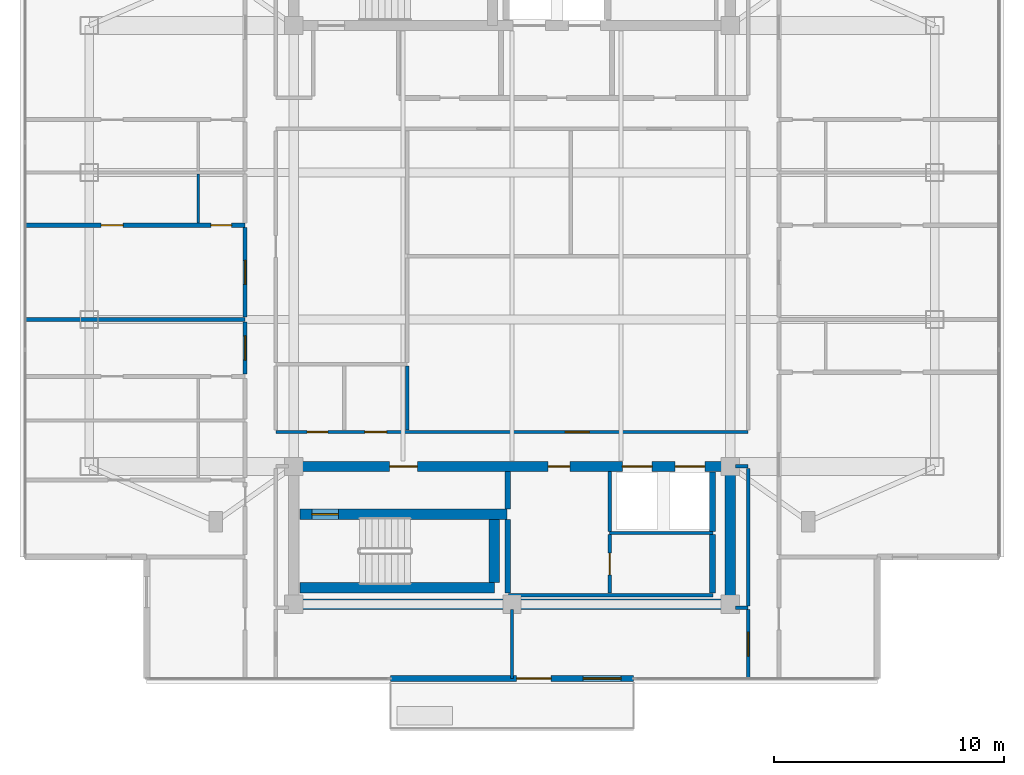
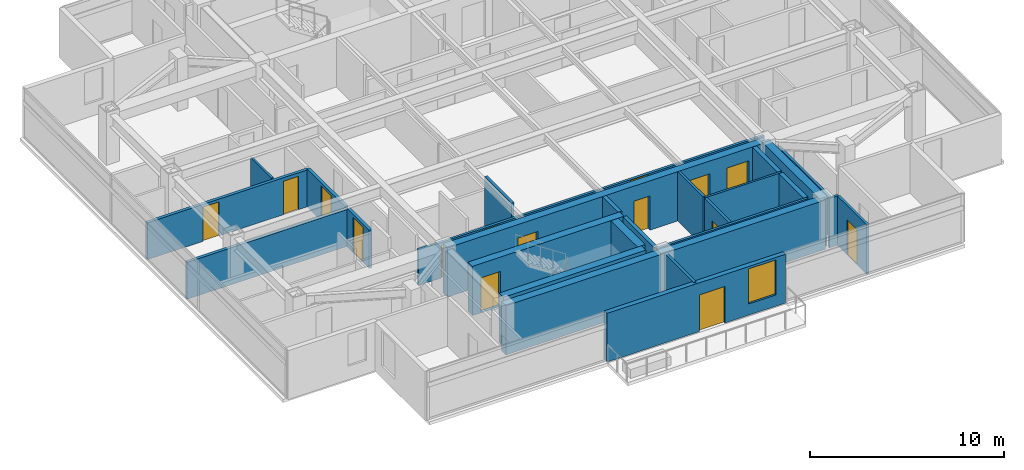
# One storey, part 8 of 14: 27 walls, 15 doors, 1 window, 16 openings.
"""IFC4 building model written with IfcOpenShell, lengths in metres."""

from ifc_helpers import new_model, si_unit, direction, frame, frame_2d, origin, place, context, subcontext, project, spatial, rectangle, extrude, material, layer, layer_set, type_object, element, fill, save


model = new_model("IFC4")

# Units and contexts
model_context = context("Model", 3, precision=1e-05, world=origin(), true_north=direction((0.0, 1.0)))
body_context = subcontext(model_context, "Body", "Model", "MODEL_VIEW")
ifc_project = project(units=[si_unit("LENGTHUNIT", "METRE"), si_unit("AREAUNIT", "SQUARE_METRE"), si_unit("VOLUMEUNIT", "CUBIC_METRE"), si_unit("PLANEANGLEUNIT", "RADIAN"), si_unit("MASSUNIT", "GRAM", prefix="KILO")], contexts=[model_context])

# Site, building, storey
site_placement = place(None, origin())
site = spatial("IfcSite", under=ifc_project, at=site_placement, CompositionType="ELEMENT")
building_placement = place(site_placement, origin())
building = spatial("IfcBuilding", under=site, at=building_placement, Name="Mirazonda Arch Towers", CompositionType="ELEMENT")
storey_placement = place(building_placement, frame((0.0, 0.0, 232.60009765625)))
storey = spatial("IfcBuildingStorey", under=building, at=storey_placement, Name="L66", CompositionType="ELEMENT", Elevation=232.60009765625)

# Walls
ifc_material_1 = material(Name="Concrete C50/60", Category="concrete")
ifc_layer_1 = layer(ifc_material_1, 0.449951171875, Name="WALL-CORE-450")
ifc_layer_set_1 = layer_set([ifc_layer_1], Name="Concrete C50/60")
wall_type_1 = type_object("IfcWallType", Name="WALL-CORE-450", PredefinedType="SHEAR", material=ifc_layer_set_1)
wall_1_placement = place(storey_placement, frame((11.0, 12.39990234375, 0.0), z_axis=(0.0, 0.0, 1.0), x_axis=(1.0, 0.0, 0.0)))
element("IfcWall", 1, at=wall_1_placement, inside=storey, type_object=wall_type_1, Name="L66 T1S-S Core Shear Wall", PredefinedType="SHEAR", context=body_context, shape_type="SweptSolid", body=[
    extrude(rectangle(XDim=19.0, YDim=0.449951171875, at=frame_2d((9.5, 0.0))), origin(), (0.0, 0.0, 1.0), 3.099853515625),
])
wall_2_placement = place(storey_placement, frame((30.0, 12.39990234375, 0.0), z_axis=(0.0, 0.0, 1.0), x_axis=(0.0, 1.0, 0.0)))
element("IfcWall", 2, at=wall_2_placement, inside=storey, type_object=wall_type_1, Name="L66 T1S-E Core Shear Wall", PredefinedType="SHEAR", context=body_context, shape_type="SweptSolid", body=[
    extrude(rectangle(XDim=6.0, YDim=0.449951171875, at=frame_2d((3.0, 0.0))), origin(), (0.0, 0.0, 1.0), 3.099853515625),
])

# Wall, openings, doors
wall_3_placement = place(storey_placement, frame((11.0, 18.39990234375, 0.0), z_axis=(0.0, 0.0, 1.0), x_axis=(1.0, 0.0, 0.0)))
wall_3 = element("IfcWall", 3, at=wall_3_placement, inside=storey, type_object=wall_type_1, Name="L66 T1S-N Core Shear Wall", PredefinedType="SHEAR", context=body_context, shape_type="SweptSolid", body=[
    extrude(rectangle(XDim=19.0, YDim=0.449951171875, at=frame_2d((9.5, 0.0))), origin(), (0.0, 0.0, 1.0), 3.099853515625),
])
opening_1_placement = place(wall_3_placement, frame((4.175048828125, 0.0, 0.0)))
opening_1 = element("IfcOpeningElement", 4, at=opening_1_placement, cuts=wall_3, Name="Opening DR-117", PredefinedType="OPENING", context=body_context, shape_type="SweptSolid", body=[
    extrude(rectangle(XDim=1.199951171875, YDim=2.25, at=frame_2d((0.60009765625, 1.125))), frame((0.0, 0.23486328125, 0.0), z_axis=(0.0, -1.0, 0.0), x_axis=(1.0, 0.0, 0.0)), (0.0, 0.0, 1.0), 0.469970703125),
])
opening_2_placement = place(wall_3_placement, frame((11.074951171875, 0.0, 0.0)))
opening_2 = element("IfcOpeningElement", 5, at=opening_2_placement, cuts=wall_3, Name="Opening DR-104", PredefinedType="OPENING", context=body_context, shape_type="SweptSolid", body=[
    extrude(rectangle(XDim=0.949951171875, YDim=2.14990234375, at=frame_2d((0.47509765625, 1.074951171875))), frame((0.0, 0.23486328125, 0.0), z_axis=(0.0, -1.0, 0.0), x_axis=(1.0, 0.0, 0.0)), (0.0, 0.0, 1.0), 0.469970703125),
])
opening_3_placement = place(wall_3_placement, frame((14.300048828125, 0.0, 0.0)))
opening_3 = element("IfcOpeningElement", 6, at=opening_3_placement, cuts=wall_3, Name="Opening LD-111", PredefinedType="OPENING", context=body_context, shape_type="SweptSolid", body=[
    extrude(rectangle(XDim=1.300048828125, YDim=2.300048828125, at=frame_2d((0.64990234375, 1.14990234375))), frame((0.0, 0.23486328125, 0.0), z_axis=(0.0, -1.0, 0.0), x_axis=(1.0, 0.0, 0.0)), (0.0, 0.0, 1.0), 0.469970703125),
])
opening_4_placement = place(wall_3_placement, frame((16.60009765625, 0.0, 0.0)))
opening_4 = element("IfcOpeningElement", 7, at=opening_4_placement, cuts=wall_3, Name="Opening LD-111", PredefinedType="OPENING", context=body_context, shape_type="SweptSolid", body=[
    extrude(rectangle(XDim=1.300048828125, YDim=2.300048828125, at=frame_2d((0.64990234375, 1.14990234375))), frame((0.0, 0.23486328125, 0.0), z_axis=(0.0, -1.0, 0.0), x_axis=(1.0, 0.0, 0.0)), (0.0, 0.0, 1.0), 0.469970703125),
])
ifc_material_2 = material(Name="Architectural Brushed Steel S355", Category="steel")
door_type_1 = type_object("IfcDoorType", Name="DOOR-FFL-FD90-1200", OperationType="NOTDEFINED", PredefinedType="DOOR", material=ifc_material_2)
door_1_placement = place(opening_1_placement, origin())
door_1 = element("IfcDoor", 8, at=door_1_placement, inside=storey, type_object=door_type_1, Name="L66 South Core Stair & Lift Lobby Door", OperationType="SINGLE_SWING_RIGHT", OverallHeight=2.25, OverallWidth=1.199951171875, PredefinedType="DOOR", context=body_context, shape_type="SweptSolid", body=[
    extrude(rectangle(XDim=1.199951171875, YDim=2.25, at=frame_2d((0.60009765625, 1.125))), frame((0.0, 0.02490234375, 0.0), z_axis=(0.0, -1.0, 0.0), x_axis=(1.0, 0.0, 0.0)), (0.0, 0.0, 1.0), 0.050048828125),
])
fill(opening_1, door_1)
door_type_2 = type_object("IfcDoorType", Name="DOOR-LIFT-LAND-1300", OperationType="NOTDEFINED", PredefinedType="DOOR", material=ifc_material_2)
door_2_placement = place(opening_3_placement, origin())
door_2 = element("IfcDoor", 9, at=door_2_placement, inside=storey, type_object=door_type_2, Name="L66 Lift Landing Sliding Door PL-T1H1", OperationType="DOUBLE_DOOR_SLIDING", OverallHeight=2.300048828125, OverallWidth=1.300048828125, PredefinedType="DOOR", context=body_context, shape_type="SweptSolid", body=[
    extrude(rectangle(XDim=1.300048828125, YDim=2.300048828125, at=frame_2d((0.64990234375, 1.14990234375))), frame((0.0, 0.02490234375, 0.0), z_axis=(0.0, -1.0, 0.0), x_axis=(1.0, 0.0, 0.0)), (0.0, 0.0, 1.0), 0.050048828125),
])
fill(opening_3, door_2)
door_3_placement = place(opening_4_placement, origin())
door_3 = element("IfcDoor", 10, at=door_3_placement, inside=storey, type_object=door_type_2, Name="L66 Lift Landing Sliding Door PL-T1H2", OperationType="DOUBLE_DOOR_SLIDING", OverallHeight=2.300048828125, OverallWidth=1.300048828125, PredefinedType="DOOR", context=body_context, shape_type="SweptSolid", body=[
    extrude(rectangle(XDim=1.300048828125, YDim=2.300048828125, at=frame_2d((0.64990234375, 1.14990234375))), frame((0.0, 0.02490234375, 0.0), z_axis=(0.0, -1.0, 0.0), x_axis=(1.0, 0.0, 0.0)), (0.0, 0.0, 1.0), 0.050048828125),
])
fill(opening_4, door_3)
door_type_3 = type_object("IfcDoorType", Name="DOOR-ROOM-950", OperationType="NOTDEFINED", PredefinedType="DOOR", material=ifc_material_2)
door_4_placement = place(opening_2_placement, origin())
door_4 = element("IfcDoor", 11, at=door_4_placement, inside=storey, type_object=door_type_3, Name="L66 Residents Wine Tasting Lounge Door", OperationType="SINGLE_SWING_RIGHT", OverallHeight=2.14990234375, OverallWidth=0.949951171875, PredefinedType="DOOR", context=body_context, shape_type="SweptSolid", body=[
    extrude(rectangle(XDim=0.949951171875, YDim=2.14990234375, at=frame_2d((0.47509765625, 1.074951171875))), frame((0.0, 0.02490234375, 0.0), z_axis=(0.0, -1.0, 0.0), x_axis=(1.0, 0.0, 0.0)), (0.0, 0.0, 1.0), 0.050048828125),
])
fill(opening_2, door_4)

# Wall
wall_4_placement = place(storey_placement, frame((11.27001953125, 13.1201171875, 0.0), z_axis=(0.0, 0.0, 1.0), x_axis=(1.0, 0.0, 0.0)))
element("IfcWall", 12, at=wall_4_placement, inside=storey, type_object=wall_type_1, Name="L66 Stair Core Shear Wall 004", PredefinedType="SHEAR", context=body_context, shape_type="SweptSolid", body=[
    extrude(rectangle(XDim=8.4599609375, YDim=0.449951171875, at=frame_2d((4.22998046875, 0.0))), origin(), (0.0, 0.0, 1.0), 3.099853515625),
])

# Wall, opening, door
wall_5_placement = place(storey_placement, frame((11.27001953125, 16.320068359375, 0.0), z_axis=(0.0, 0.0, 1.0), x_axis=(1.0, 0.0, 0.0)))
wall_5 = element("IfcWall", 13, at=wall_5_placement, inside=storey, type_object=wall_type_1, Name="L66 Stair Core Shear Wall 008", PredefinedType="SHEAR", context=body_context, shape_type="SweptSolid", body=[
    extrude(rectangle(XDim=9.010009765625, YDim=0.449951171875, at=frame_2d((4.5048828125, 0.0))), origin(), (0.0, 0.0, 1.0), 3.099853515625),
])
opening_5_placement = place(wall_5_placement, frame((0.52001953125, 0.0, 0.0)))
opening_5 = element("IfcOpeningElement", 14, at=opening_5_placement, cuts=wall_5, Name="Opening DR-135", PredefinedType="OPENING", context=body_context, shape_type="SweptSolid", body=[
    extrude(rectangle(XDim=1.14990234375, YDim=2.199951171875, at=frame_2d((0.574951171875, 1.10009765625))), frame((0.0, 0.23486328125, 0.0), z_axis=(0.0, -1.0, 0.0), x_axis=(1.0, 0.0, 0.0)), (0.0, 0.0, 1.0), 0.469970703125),
])
door_type_4 = type_object("IfcDoorType", Name="DOOR-STAIR-FD90-1150", OperationType="NOTDEFINED", PredefinedType="DOOR", material=ifc_material_2)
door_5_placement = place(opening_5_placement, origin())
door_5 = element("IfcDoor", 15, at=door_5_placement, inside=storey, type_object=door_type_4, Name="L66 Protected Exit Stair South Door", OperationType="SINGLE_SWING_LEFT", OverallHeight=2.199951171875, OverallWidth=1.14990234375, PredefinedType="DOOR", context=body_context, shape_type="SweptSolid", body=[
    extrude(rectangle(XDim=1.14990234375, YDim=2.199951171875, at=frame_2d((0.574951171875, 1.10009765625))), frame((0.0, 0.02490234375, 0.0), z_axis=(0.0, -1.0, 0.0), x_axis=(1.0, 0.0, 0.0)), (0.0, 0.0, 1.0), 0.050048828125),
])
fill(opening_5, door_5)

# Wall
wall_6_placement = place(storey_placement, frame((19.72998046875, 13.35498046875, 0.0), z_axis=(0.0, 0.0, 1.0), x_axis=(0.0, 1.0, 0.0)))
element("IfcWall", 16, at=wall_6_placement, inside=storey, type_object=wall_type_1, Name="L66 Stair Core Shear Wall 061", PredefinedType="SHEAR", context=body_context, shape_type="SweptSolid", body=[
    extrude(rectangle(XDim=2.72998046875, YDim=0.449951171875, at=frame_2d((1.364990234375, 0.0))), origin(), (0.0, 0.0, 1.0), 3.099853515625),
])

# Wall, openings, door, window
ifc_material_3 = material(Name="Precast Concrete C40/50", Category="concrete")
ifc_layer_2 = layer(ifc_material_3, 0.280029296875, Name="WALL-EXT-WALL-280")
ifc_layer_set_2 = layer_set([ifc_layer_2], Name="Precast Concrete C40/50")
wall_type_2 = type_object("IfcWallType", Name="WALL-EXT-WALL-280", PredefinedType="SOLIDWALL", material=ifc_layer_set_2)
wall_7_placement = place(storey_placement, frame((25.800048828125, 9.16796875, 0.0), z_axis=(0.0, 0.0, 1.0), x_axis=(-1.0, 0.0, 0.0)))
wall_7 = element("IfcWall", 17, at=wall_7_placement, inside=storey, type_object=wall_type_2, Name="L66 T1 Sky-Terrace Threshold Wall WL-TERR-L66-T1", PredefinedType="SOLIDWALL", context=body_context, shape_type="SweptSolid", body=[
    extrude(rectangle(XDim=10.60009765625, YDim=0.280029296875, at=frame_2d((5.300048828125, 0.0))), origin(), (0.0, 0.0, 1.0), 3.059814453125),
])
opening_6_placement = place(wall_7_placement, frame((0.550048828125, 0.0, 0.7099609375)))
opening_6 = element("IfcOpeningElement", 18, at=opening_6_placement, cuts=wall_7, Name="Opening WN-115", PredefinedType="OPENING", context=body_context, shape_type="SweptSolid", body=[
    extrude(rectangle(XDim=1.64990234375, YDim=2.199951171875, at=frame_2d((0.824951171875, 1.10009765625))), frame((0.0, 0.14990234375, 0.0), z_axis=(0.0, -1.0, 0.0), x_axis=(1.0, 0.0, 0.0)), (0.0, 0.0, 1.0), 0.300048828125),
])
opening_7_placement = place(wall_7_placement, frame((3.60009765625, 0.0, 0.0)))
opening_7 = element("IfcOpeningElement", 19, at=opening_7_placement, cuts=wall_7, Name="Opening DR-116", PredefinedType="OPENING", context=body_context, shape_type="SweptSolid", body=[
    extrude(rectangle(XDim=1.5, YDim=2.300048828125, at=frame_2d((0.75, 1.14990234375))), frame((0.0, 0.14990234375, 0.0), z_axis=(0.0, -1.0, 0.0), x_axis=(1.0, 0.0, 0.0)), (0.0, 0.0, 1.0), 0.300048828125),
])
ifc_material_4 = material(Name="Architectural Hardwood Timber", Category="wood")
door_type_5 = type_object("IfcDoorType", Name="DOOR-TERR-EXT-1500", OperationType="NOTDEFINED", PredefinedType="DOOR", material=ifc_material_4)
door_6_placement = place(opening_7_placement, origin())
door_6 = element("IfcDoor", 20, at=door_6_placement, inside=storey, type_object=door_type_5, Name="L66 Exterior Door DR-TERR-L66-T1", OperationType="SINGLE_SWING_LEFT", OverallHeight=2.300048828125, OverallWidth=1.5, PredefinedType="DOOR", context=body_context, shape_type="SweptSolid", body=[
    extrude(rectangle(XDim=1.5, YDim=2.300048828125, at=frame_2d((0.75, 1.14990234375))), frame((0.0, 0.02490234375, 0.0), z_axis=(0.0, -1.0, 0.0), x_axis=(1.0, 0.0, 0.0)), (0.0, 0.0, 1.0), 0.050048828125),
])
fill(opening_7, door_6)
ifc_material_5 = material(Name="Insulated Low-E Solar Glass", Category="glass")
window_type = type_object("IfcWindowType", Name="WIN-RES-1650x2200", PartitioningType="SINGLE_PANEL", PredefinedType="WINDOW", material=ifc_material_5)
window_placement = place(opening_6_placement, origin())
window = element("IfcWindow", 21, at=window_placement, inside=storey, type_object=window_type, Name="L66 Punched Facade Window WN-TERR-L66-T1", OverallHeight=2.199951171875, OverallWidth=1.64990234375, PartitioningType="SINGLE_PANEL", PredefinedType="WINDOW", context=body_context, shape_type="SweptSolid", body=[
    extrude(rectangle(XDim=1.64990234375, YDim=2.199951171875, at=frame_2d((0.824951171875, 1.10009765625))), frame((0.0, 0.030029296875, 0.0), z_axis=(0.0, -1.0, 0.0), x_axis=(1.0, 0.0, 0.0)), (0.0, 0.0, 1.0), 0.06005859375),
])
fill(opening_6, window)

# Walls
ifc_material_6 = material(Name="Concrete C40/50", Category="concrete")
ifc_layer_3 = layer(ifc_material_6, 0.219970703125, Name="WALL-FFL-220")
ifc_layer_set_3 = layer_set([ifc_layer_3], Name="Concrete C40/50")
wall_type_3 = type_object("IfcWallType", Name="WALL-FFL-220", PredefinedType="SOLIDWALL", material=ifc_layer_set_3)
wall_8_placement = place(storey_placement, frame((20.31494140625, 12.885009765625, 0.0), z_axis=(0.0, 0.0, 1.0), x_axis=(0.0, 1.0, 0.0)))
element("IfcWall", 22, at=wall_8_placement, inside=storey, type_object=wall_type_3, Name="L66 Interior Partition 063", PredefinedType="SOLIDWALL", context=body_context, shape_type="SweptSolid", body=[
    extrude(rectangle(XDim=3.199951171875, YDim=0.219970703125, at=frame_2d((1.60009765625, 0.0))), origin(), (0.0, 0.0, 1.0), 3.099853515625),
])
wall_9_placement = place(storey_placement, frame((20.31494140625, 16.554931640625, 0.0), z_axis=(0.0, 0.0, 1.0), x_axis=(0.0, 1.0, 0.0)))
element("IfcWall", 23, at=wall_9_placement, inside=storey, type_object=wall_type_3, Name="L66 Interior Partition 064", PredefinedType="SOLIDWALL", context=body_context, shape_type="SweptSolid", body=[
    extrude(rectangle(XDim=1.625, YDim=0.219970703125, at=frame_2d((0.8125, 0.0))), origin(), (0.0, 0.0, 1.0), 3.099853515625),
])
ifc_material_7 = material(Name="Fire-Rated Gypsum Stud Partition")
ifc_layer_4 = layer(ifc_material_7, 0.14990234375, Name="WALL-PART-CORR-150")
ifc_layer_set_4 = layer_set([ifc_layer_4], Name="Fire-Rated Gypsum Stud Partition")
wall_type_4 = type_object("IfcWallType", Name="WALL-PART-CORR-150", PredefinedType="PARTITIONING", material=ifc_layer_set_4)
wall_10_placement = place(storey_placement, frame((30.219970703125, 12.25, 0.0), z_axis=(0.0, 0.0, 1.0), x_axis=(1.0, 0.0, 0.0)))
element("IfcWall", 24, at=wall_10_placement, inside=storey, type_object=wall_type_4, Name="L66 Interior Partition 002", PredefinedType="PARTITIONING", context=body_context, shape_type="SweptSolid", body=[
    extrude(rectangle(XDim=0.56005859375, YDim=0.14990234375, at=frame_2d((0.280029296875, 0.0))), origin(), (0.0, 0.0, 1.0), 3.099853515625),
])
wall_11_placement = place(storey_placement, frame((20.35009765625, 12.800048828125, 0.0), z_axis=(0.0, 0.0, 1.0), x_axis=(1.0, 0.0, 0.0)))
element("IfcWall", 25, at=wall_11_placement, inside=storey, type_object=wall_type_4, Name="L66 Interior Partition 003", PredefinedType="PARTITIONING", context=body_context, shape_type="SweptSolid", body=[
    extrude(rectangle(XDim=8.89990234375, YDim=0.14990234375, at=frame_2d((4.449951171875, 0.0))), origin(), (0.0, 0.0, 1.0), 3.099853515625),
])
wall_12_placement = place(storey_placement, frame((30.219970703125, 18.39990234375, 0.0), z_axis=(0.0, 0.0, 1.0), x_axis=(1.0, 0.0, 0.0)))
element("IfcWall", 26, at=wall_12_placement, inside=storey, type_object=wall_type_4, Name="L66 Interior Partition 011", PredefinedType="PARTITIONING", context=body_context, shape_type="SweptSolid", body=[
    extrude(rectangle(XDim=0.56005859375, YDim=0.14990234375, at=frame_2d((0.280029296875, 0.0))), origin(), (0.0, 0.0, 1.0), 2.491943359375),
])

# Wall, openings, doors
wall_13_placement = place(storey_placement, frame((10.219970703125, 19.89990234375, 0.0), z_axis=(0.0, 0.0, 1.0), x_axis=(1.0, 0.0, 0.0)))
wall_13 = element("IfcWall", 27, at=wall_13_placement, inside=storey, type_object=wall_type_4, Name="L66 Interior Partition 012", PredefinedType="PARTITIONING", context=body_context, shape_type="SweptSolid", body=[
    extrude(rectangle(XDim=20.56005859375, YDim=0.14990234375, at=frame_2d((10.280029296875, 0.0))), origin(), (0.0, 0.0, 1.0), 2.23583984375),
])
opening_8_placement = place(wall_13_placement, frame((1.360107421875, 0.0, 0.0)))
opening_8 = element("IfcOpeningElement", 28, at=opening_8_placement, cuts=wall_13, Name="Opening DR-120", PredefinedType="OPENING", context=body_context, shape_type="SweptSolid", body=[
    extrude(rectangle(XDim=0.89990234375, YDim=2.10009765625, at=frame_2d((0.449951171875, 1.050048828125))), frame((0.0, 0.0849609375, 0.0), z_axis=(0.0, -1.0, 0.0), x_axis=(1.0, 0.0, 0.0)), (0.0, 0.0, 1.0), 0.169921875),
])
opening_9_placement = place(wall_13_placement, frame((3.8701171875, 0.0, 0.0)))
opening_9 = element("IfcOpeningElement", 29, at=opening_9_placement, cuts=wall_13, Name="Opening DR-104", PredefinedType="OPENING", context=body_context, shape_type="SweptSolid", body=[
    extrude(rectangle(XDim=0.949951171875, YDim=2.14990234375, at=frame_2d((0.47509765625, 1.074951171875))), frame((0.0, 0.0849609375, 0.0), z_axis=(0.0, -1.0, 0.0), x_axis=(1.0, 0.0, 0.0)), (0.0, 0.0, 1.0), 0.169921875),
])
opening_10_placement = place(wall_13_placement, frame((12.590087890625, 0.0, 0.0)))
opening_10 = element("IfcOpeningElement", 30, at=opening_10_placement, cuts=wall_13, Name="Opening DR-121", PredefinedType="OPENING", context=body_context, shape_type="SweptSolid", body=[
    extrude(rectangle(XDim=1.050048828125, YDim=2.199951171875, at=frame_2d((0.52490234375, 1.10009765625))), frame((0.0, 0.0849609375, 0.0), z_axis=(0.0, -1.0, 0.0), x_axis=(1.0, 0.0, 0.0)), (0.0, 0.0, 1.0), 0.169921875),
])
door_7_placement = place(opening_9_placement, origin())
door_7 = element("IfcDoor", 31, at=door_7_placement, inside=storey, type_object=door_type_3, Name="L66 L66 West Courtyard Study Door", OperationType="SINGLE_SWING_RIGHT", OverallHeight=2.14990234375, OverallWidth=0.949951171875, PredefinedType="DOOR", context=body_context, shape_type="SweptSolid", body=[
    extrude(rectangle(XDim=0.949951171875, YDim=2.14990234375, at=frame_2d((0.47509765625, 1.074951171875))), frame((0.0, 0.02490234375, 0.0), z_axis=(0.0, -1.0, 0.0), x_axis=(1.0, 0.0, 0.0)), (0.0, 0.0, 1.0), 0.050048828125),
])
fill(opening_9, door_7)
door_type_6 = type_object("IfcDoorType", Name="DOOR-SUITE-FD60-1050", OperationType="NOTDEFINED", PredefinedType="DOOR", material=ifc_material_2)
door_8_placement = place(opening_10_placement, origin())
door_8 = element("IfcDoor", 32, at=door_8_placement, inside=storey, type_object=door_type_6, Name="L66 Executive Club Lounge Door", OperationType="SINGLE_SWING_RIGHT", OverallHeight=2.199951171875, OverallWidth=1.050048828125, PredefinedType="DOOR", context=body_context, shape_type="SweptSolid", body=[
    extrude(rectangle(XDim=1.050048828125, YDim=2.199951171875, at=frame_2d((0.52490234375, 1.10009765625))), frame((0.0, 0.02490234375, 0.0), z_axis=(0.0, -1.0, 0.0), x_axis=(1.0, 0.0, 0.0)), (0.0, 0.0, 1.0), 0.050048828125),
])
fill(opening_10, door_8)
door_type_7 = type_object("IfcDoorType", Name="DOOR-WC-900", OperationType="NOTDEFINED", PredefinedType="DOOR", material=ifc_material_2)
door_9_placement = place(opening_8_placement, origin())
door_9 = element("IfcDoor", 33, at=door_9_placement, inside=storey, type_object=door_type_7, Name="L66 Common Accessible WC Door", OperationType="SINGLE_SWING_RIGHT", OverallHeight=2.10009765625, OverallWidth=0.89990234375, PredefinedType="DOOR", context=body_context, shape_type="SweptSolid", body=[
    extrude(rectangle(XDim=0.89990234375, YDim=2.10009765625, at=frame_2d((0.449951171875, 1.050048828125))), frame((0.0, 0.02490234375, 0.0), z_axis=(0.0, -1.0, 0.0), x_axis=(1.0, 0.0, 0.0)), (0.0, 0.0, 1.0), 0.050048828125),
])
fill(opening_8, door_9)

# Walls
wall_14_placement = place(storey_placement, frame((15.929931640625, 19.985107421875, 0.0), z_axis=(0.0, 0.0, 1.0), x_axis=(0.0, 1.0, 0.0)))
element("IfcWall", 34, at=wall_14_placement, inside=storey, type_object=wall_type_4, Name="L66 Interior Partition 058", PredefinedType="PARTITIONING", context=body_context, shape_type="SweptSolid", body=[
    extrude(rectangle(XDim=2.77978515625, YDim=0.14990234375, at=frame_2d((1.389892578125, 0.0))), origin(), (0.0, 0.0, 1.0), 3.099853515625),
])
wall_15_placement = place(storey_placement, frame((20.5, 9.16796875, 0.0), z_axis=(0.0, 0.0, 1.0), x_axis=(0.0, 1.0, 0.0)))
element("IfcWall", 35, at=wall_15_placement, inside=storey, type_object=wall_type_4, Name="L66 Interior Partition 066", PredefinedType="PARTITIONING", context=body_context, shape_type="SweptSolid", body=[
    extrude(rectangle(XDim=3.011962890625, YDim=0.14990234375, at=frame_2d((1.505859375, 0.0))), origin(), (0.0, 0.0, 1.0), 3.099853515625),
])

# Wall, opening, door
wall_16_placement = place(storey_placement, frame((24.75, 12.885009765625, 0.0), z_axis=(0.0, 0.0, 1.0), x_axis=(0.0, 1.0, 0.0)))
wall_16 = element("IfcWall", 36, at=wall_16_placement, inside=storey, type_object=wall_type_4, Name="L66 Interior Partition 069", PredefinedType="PARTITIONING", context=body_context, shape_type="SweptSolid", body=[
    extrude(rectangle(XDim=2.54248046875, YDim=0.14990234375, at=frame_2d((1.271240234375, 0.0))), origin(), (0.0, 0.0, 1.0), 3.099853515625),
])
opening_11_placement = place(wall_16_placement, frame((0.79638671875, 0.0, 0.0)))
opening_11 = element("IfcOpeningElement", 37, at=opening_11_placement, cuts=wall_16, Name="Opening DR-104", PredefinedType="OPENING", context=body_context, shape_type="SweptSolid", body=[
    extrude(rectangle(XDim=0.949951171875, YDim=2.14990234375, at=frame_2d((0.47509765625, 1.074951171875))), frame((0.0, 0.0849609375, 0.0), z_axis=(0.0, -1.0, 0.0), x_axis=(1.0, 0.0, 0.0)), (0.0, 0.0, 1.0), 0.169921875),
])
door_10_placement = place(opening_11_placement, origin())
door_10 = element("IfcDoor", 38, at=door_10_placement, inside=storey, type_object=door_type_3, Name="L66 Residents Private Archive Study Door", OperationType="SINGLE_SWING_LEFT", OverallHeight=2.14990234375, OverallWidth=0.949951171875, PredefinedType="DOOR", context=body_context, shape_type="SweptSolid", body=[
    extrude(rectangle(XDim=0.949951171875, YDim=2.14990234375, at=frame_2d((0.47509765625, 1.074951171875))), frame((0.0, 0.02490234375, 0.0), z_axis=(0.0, -1.0, 0.0), x_axis=(1.0, 0.0, 0.0)), (0.0, 0.0, 1.0), 0.050048828125),
])
fill(opening_11, door_10)

# Wall
wall_17_placement = place(storey_placement, frame((24.75, 15.572509765625, 0.0), z_axis=(0.0, 0.0, 1.0), x_axis=(0.0, 1.0, 0.0)))
element("IfcWall", 39, at=wall_17_placement, inside=storey, type_object=wall_type_4, Name="L66 Interior Partition 070", PredefinedType="PARTITIONING", context=body_context, shape_type="SweptSolid", body=[
    extrude(rectangle(XDim=2.607421875, YDim=0.14990234375, at=frame_2d((1.3037109375, 0.0))), origin(), (0.0, 0.0, 1.0), 3.099853515625),
])

# Wall, opening, door
wall_18_placement = place(storey_placement, frame((30.780029296875, 9.16796875, 0.0), z_axis=(0.0, 0.0, 1.0), x_axis=(0.0, 1.0, 0.0)))
wall_18 = element("IfcWall", 40, at=wall_18_placement, inside=storey, type_object=wall_type_4, Name="L66 Interior Partition 078", PredefinedType="PARTITIONING", context=body_context, shape_type="SweptSolid", body=[
    extrude(rectangle(XDim=2.9970703125, YDim=0.14990234375, at=frame_2d((1.49853515625, 0.0))), origin(), (0.0, 0.0, 1.0), 3.099853515625),
])
opening_12_placement = place(wall_18_placement, frame((0.973388671875, 0.0, 0.0)))
opening_12 = element("IfcOpeningElement", 41, at=opening_12_placement, cuts=wall_18, Name="Opening DR-121", PredefinedType="OPENING", context=body_context, shape_type="SweptSolid", body=[
    extrude(rectangle(XDim=1.050048828125, YDim=2.199951171875, at=frame_2d((0.52490234375, 1.10009765625))), frame((0.0, 0.0849609375, 0.0), z_axis=(0.0, -1.0, 0.0), x_axis=(1.0, 0.0, 0.0)), (0.0, 0.0, 1.0), 0.169921875),
])
door_11_placement = place(opening_12_placement, origin())
door_11 = element("IfcDoor", 42, at=door_11_placement, inside=storey, type_object=door_type_6, Name="L66 South Horizon Lounge East Door", OperationType="SINGLE_SWING_RIGHT", OverallHeight=2.199951171875, OverallWidth=1.050048828125, PredefinedType="DOOR", context=body_context, shape_type="SweptSolid", body=[
    extrude(rectangle(XDim=1.050048828125, YDim=2.199951171875, at=frame_2d((0.52490234375, 1.10009765625))), frame((0.0, 0.02490234375, 0.0), z_axis=(0.0, -1.0, 0.0), x_axis=(1.0, 0.0, 0.0)), (0.0, 0.0, 1.0), 0.050048828125),
])
fill(opening_12, door_11)

# Walls
wall_19_placement = place(storey_placement, frame((30.780029296875, 12.3349609375, 0.0), z_axis=(0.0, 0.0, 1.0), x_axis=(0.0, 1.0, 0.0)))
element("IfcWall", 43, at=wall_19_placement, inside=storey, type_object=wall_type_4, Name="L66 Interior Partition 079", PredefinedType="PARTITIONING", context=body_context, shape_type="SweptSolid", body=[
    extrude(rectangle(XDim=5.97998046875, YDim=0.14990234375, at=frame_2d((2.989990234375, 0.0))), origin(), (0.0, 0.0, 1.0), 2.491943359375),
])
ifc_material_8 = material(Name="Fire-Rated Gypsum Twin-Stud Assembly")
ifc_layer_5 = layer(ifc_material_8, 0.179931640625, Name="WALL-PART-DEMISE-180")
ifc_layer_set_5 = layer_set([ifc_layer_5], Name="Fire-Rated Gypsum Twin-Stud Assembly")
wall_type_5 = type_object("IfcWallType", Name="WALL-PART-DEMISE-180", PredefinedType="PARTITIONING", material=ifc_layer_set_5)
wall_20_placement = place(storey_placement, frame((-0.699951171875, 24.800048828125, 0.0), z_axis=(0.0, 0.0, 1.0), x_axis=(1.0, 0.0, 0.0)))
element("IfcWall", 44, at=wall_20_placement, inside=storey, type_object=wall_type_5, Name="L66 Interior Partition 017", PredefinedType="PARTITIONING", context=body_context, shape_type="SweptSolid", body=[
    extrude(rectangle(XDim=9.579833984375, YDim=0.179931640625, at=frame_2d((4.7900390625, 0.0))), origin(), (0.0, 0.0, 1.0), 2.31884765625),
])

# Wall, openings, doors
wall_21_placement = place(storey_placement, frame((-0.699951171875, 28.89990234375, 0.0), z_axis=(0.0, 0.0, 1.0), x_axis=(1.0, 0.0, 0.0)))
wall_21 = element("IfcWall", 45, at=wall_21_placement, inside=storey, type_object=wall_type_5, Name="L66 Interior Partition 020", PredefinedType="PARTITIONING", context=body_context, shape_type="SweptSolid", body=[
    extrude(rectangle(XDim=9.579833984375, YDim=0.179931640625, at=frame_2d((4.7900390625, 0.0))), origin(), (0.0, 0.0, 1.0), 2.31884765625),
])
opening_13_placement = place(wall_21_placement, frame((3.31494140625, 0.0, 0.0)))
opening_13 = element("IfcOpeningElement", 46, at=opening_13_placement, cuts=wall_21, Name="Opening DR-104", PredefinedType="OPENING", context=body_context, shape_type="SweptSolid", body=[
    extrude(rectangle(XDim=0.949951171875, YDim=2.14990234375, at=frame_2d((0.47509765625, 1.074951171875))), frame((0.0, 0.099853515625, 0.0), z_axis=(0.0, -1.0, 0.0), x_axis=(1.0, 0.0, 0.0)), (0.0, 0.0, 1.0), 0.199951171875),
])
opening_14_placement = place(wall_21_placement, frame((8.090087890625, 0.0, 0.0)))
opening_14 = element("IfcOpeningElement", 47, at=opening_14_placement, cuts=wall_21, Name="Opening DR-120", PredefinedType="OPENING", context=body_context, shape_type="SweptSolid", body=[
    extrude(rectangle(XDim=0.89990234375, YDim=2.10009765625, at=frame_2d((0.449951171875, 1.050048828125))), frame((0.0, 0.099853515625, 0.0), z_axis=(0.0, -1.0, 0.0), x_axis=(1.0, 0.0, 0.0)), (0.0, 0.0, 1.0), 0.199951171875),
])
door_12_placement = place(opening_13_placement, origin())
door_12 = element("IfcDoor", 48, at=door_12_placement, inside=storey, type_object=door_type_3, Name="L66 Guestroom Study 3 Door", OperationType="SINGLE_SWING_RIGHT", OverallHeight=2.14990234375, OverallWidth=0.949951171875, PredefinedType="DOOR", context=body_context, shape_type="SweptSolid", body=[
    extrude(rectangle(XDim=0.949951171875, YDim=2.14990234375, at=frame_2d((0.47509765625, 1.074951171875))), frame((0.0, 0.02490234375, 0.0), z_axis=(0.0, -1.0, 0.0), x_axis=(1.0, 0.0, 0.0)), (0.0, 0.0, 1.0), 0.050048828125),
])
fill(opening_13, door_12)
door_13_placement = place(opening_14_placement, origin())
door_13 = element("IfcDoor", 49, at=door_13_placement, inside=storey, type_object=door_type_7, Name="L66 En-Suite Bathroom 3 Door", OperationType="SINGLE_SWING_LEFT", OverallHeight=2.10009765625, OverallWidth=0.89990234375, PredefinedType="DOOR", context=body_context, shape_type="SweptSolid", body=[
    extrude(rectangle(XDim=0.89990234375, YDim=2.10009765625, at=frame_2d((0.449951171875, 1.050048828125))), frame((0.0, 0.02490234375, 0.0), z_axis=(0.0, -1.0, 0.0), x_axis=(1.0, 0.0, 0.0)), (0.0, 0.0, 1.0), 0.050048828125),
])
fill(opening_14, door_13)

# Wall, opening, door
wall_22_placement = place(storey_placement, frame((8.8798828125, 22.419921875, 0.0), z_axis=(0.0, 0.0, 1.0), x_axis=(0.0, 1.0, 0.0)))
wall_22 = element("IfcWall", 50, at=wall_22_placement, inside=storey, type_object=wall_type_5, Name="L66 Interior Partition 043", PredefinedType="PARTITIONING", context=body_context, shape_type="SweptSolid", body=[
    extrude(rectangle(XDim=2.280029296875, YDim=0.179931640625, at=frame_2d((1.14013671875, 0.0))), origin(), (0.0, 0.0, 1.0), 2.39599609375),
])
opening_15_placement = place(wall_22_placement, frame((0.614990234375, 0.0, 0.0)))
opening_15 = element("IfcOpeningElement", 51, at=opening_15_placement, cuts=wall_22, Name="Opening DR-121", PredefinedType="OPENING", context=body_context, shape_type="SweptSolid", body=[
    extrude(rectangle(XDim=1.050048828125, YDim=2.199951171875, at=frame_2d((0.52490234375, 1.10009765625))), frame((0.0, 0.099853515625, 0.0), z_axis=(0.0, -1.0, 0.0), x_axis=(1.0, 0.0, 0.0)), (0.0, 0.0, 1.0), 0.199951171875),
])
door_14_placement = place(opening_15_placement, origin())
door_14 = element("IfcDoor", 52, at=door_14_placement, inside=storey, type_object=door_type_6, Name="L66 Twin Hotel Guestroom 2 Door", OperationType="SINGLE_SWING_RIGHT", OverallHeight=2.199951171875, OverallWidth=1.050048828125, PredefinedType="DOOR", context=body_context, shape_type="SweptSolid", body=[
    extrude(rectangle(XDim=1.050048828125, YDim=2.199951171875, at=frame_2d((0.52490234375, 1.10009765625))), frame((0.0, 0.02490234375, 0.0), z_axis=(0.0, -1.0, 0.0), x_axis=(1.0, 0.0, 0.0)), (0.0, 0.0, 1.0), 0.050048828125),
])
fill(opening_15, door_14)

wall_23_placement = place(storey_placement, frame((8.8798828125, 24.89990234375, 0.0), z_axis=(0.0, 0.0, 1.0), x_axis=(0.0, 1.0, 0.0)))
wall_23 = element("IfcWall", 53, at=wall_23_placement, inside=storey, type_object=wall_type_5, Name="L66 Interior Partition 044", PredefinedType="PARTITIONING", context=body_context, shape_type="SweptSolid", body=[
    extrude(rectangle(XDim=3.900146484375, YDim=0.179931640625, at=frame_2d((1.9501953125, 0.0))), origin(), (0.0, 0.0, 1.0), 2.39599609375),
])
opening_16_placement = place(wall_23_placement, frame((1.425048828125, 0.0, 0.0)))
opening_16 = element("IfcOpeningElement", 54, at=opening_16_placement, cuts=wall_23, Name="Opening DR-121", PredefinedType="OPENING", context=body_context, shape_type="SweptSolid", body=[
    extrude(rectangle(XDim=1.050048828125, YDim=2.199951171875, at=frame_2d((0.52490234375, 1.10009765625))), frame((0.0, 0.099853515625, 0.0), z_axis=(0.0, -1.0, 0.0), x_axis=(1.0, 0.0, 0.0)), (0.0, 0.0, 1.0), 0.199951171875),
])
door_15_placement = place(opening_16_placement, origin())
door_15 = element("IfcDoor", 55, at=door_15_placement, inside=storey, type_object=door_type_6, Name="L66 King Hotel Guestroom 3 Door", OperationType="SINGLE_SWING_LEFT", OverallHeight=2.199951171875, OverallWidth=1.050048828125, PredefinedType="DOOR", context=body_context, shape_type="SweptSolid", body=[
    extrude(rectangle(XDim=1.050048828125, YDim=2.199951171875, at=frame_2d((0.52490234375, 1.10009765625))), frame((0.0, 0.02490234375, 0.0), z_axis=(0.0, -1.0, 0.0), x_axis=(1.0, 0.0, 0.0)), (0.0, 0.0, 1.0), 0.050048828125),
])
fill(opening_16, door_15)

# Walls
ifc_material_9 = material(Name="Acoustic Fire-Rated Gypsum Partition")
ifc_layer_6 = layer(ifc_material_9, 0.125, Name="WALL-PART-UNIT-125")
ifc_layer_set_6 = layer_set([ifc_layer_6], Name="Acoustic Fire-Rated Gypsum Partition")
wall_type_6 = type_object("IfcWallType", Name="WALL-PART-UNIT-125", PredefinedType="PARTITIONING", material=ifc_layer_set_6)
wall_24_placement = place(storey_placement, frame((24.75, 15.5, 0.0), z_axis=(0.0, 0.0, 1.0), x_axis=(1.0, 0.0, 0.0)))
element("IfcWall", 56, at=wall_24_placement, inside=storey, type_object=wall_type_6, Name="L66 Interior Partition 007", PredefinedType="PARTITIONING", context=body_context, shape_type="SweptSolid", body=[
    extrude(rectangle(XDim=4.5, YDim=0.125, at=frame_2d((2.25, 0.0))), origin(), (0.0, 0.0, 1.0), 3.099853515625),
])
wall_25_placement = place(storey_placement, frame((6.840087890625, 29.0, 0.0), z_axis=(0.0, 0.0, 1.0), x_axis=(0.0, 1.0, 0.0)))
element("IfcWall", 57, at=wall_25_placement, inside=storey, type_object=wall_type_6, Name="L66 Interior Partition 037", PredefinedType="PARTITIONING", context=body_context, shape_type="SweptSolid", body=[
    extrude(rectangle(XDim=2.12744140625, YDim=0.125, at=frame_2d((1.063720703125, 0.0))), origin(), (0.0, 0.0, 1.0), 2.39599609375),
])
ifc_layer_7 = layer(ifc_material_6, 0.25, Name="WALL-SHAFT-250")
ifc_layer_set_7 = layer_set([ifc_layer_7], Name="Concrete C40/50")
wall_type_7 = type_object("IfcWallType", Name="WALL-SHAFT-250", PredefinedType="SOLIDWALL", material=ifc_layer_set_7)
wall_26_placement = place(storey_placement, frame((29.22509765625, 12.885009765625, 0.0), z_axis=(0.0, 0.0, 1.0), x_axis=(0.0, 1.0, 0.0)))
element("IfcWall", 58, at=wall_26_placement, inside=storey, type_object=wall_type_7, Name="L66 Interior Partition 074", PredefinedType="SOLIDWALL", context=body_context, shape_type="SweptSolid", body=[
    extrude(rectangle(XDim=2.54248046875, YDim=0.25, at=frame_2d((1.271240234375, 0.0))), origin(), (0.0, 0.0, 1.0), 3.099853515625),
])
wall_27_placement = place(storey_placement, frame((29.22509765625, 15.572509765625, 0.0), z_axis=(0.0, 0.0, 1.0), x_axis=(0.0, 1.0, 0.0)))
element("IfcWall", 59, at=wall_27_placement, inside=storey, type_object=wall_type_7, Name="L66 Interior Partition 075", PredefinedType="SOLIDWALL", context=body_context, shape_type="SweptSolid", body=[
    extrude(rectangle(XDim=2.577392578125, YDim=0.25, at=frame_2d((1.28857421875, 0.0))), origin(), (0.0, 0.0, 1.0), 3.099853515625),
])

save(model, "model.ifc")
